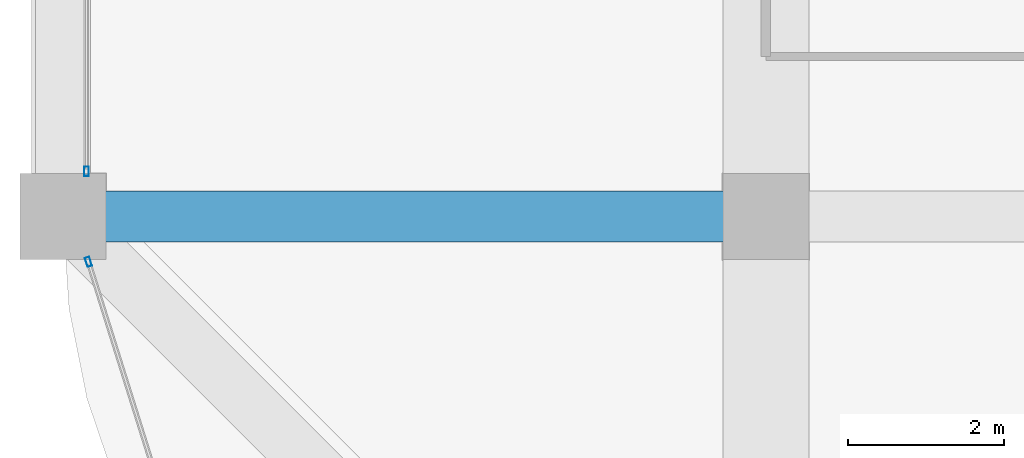
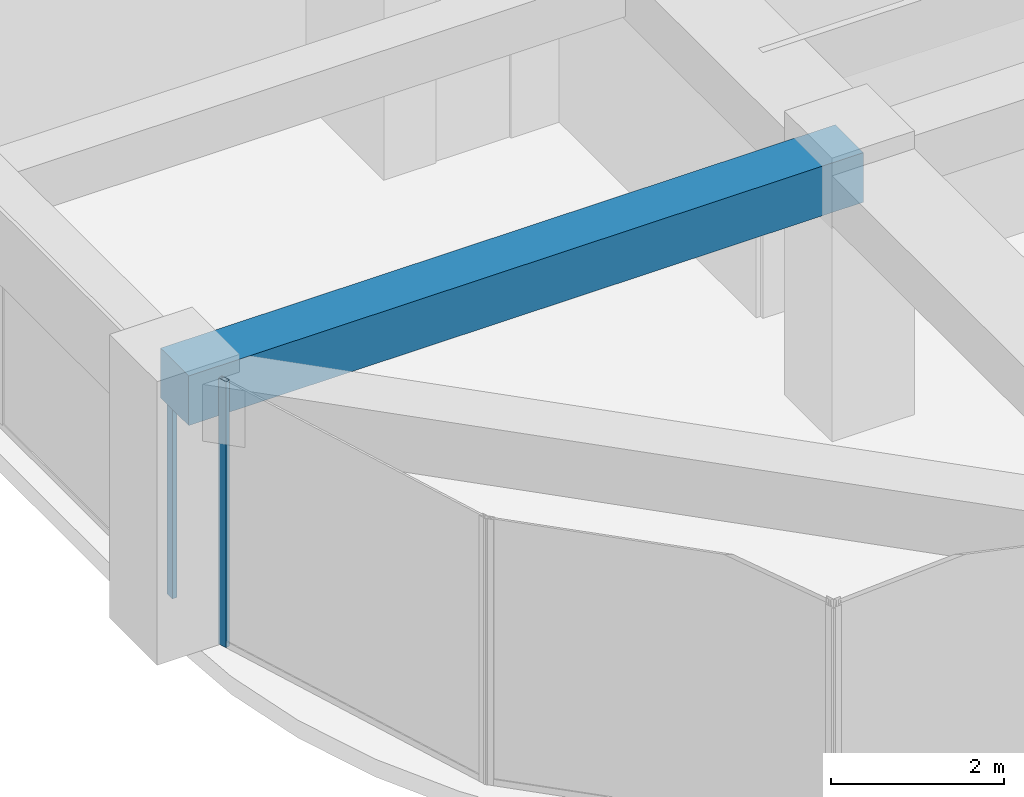
# One storey, part 6 of 44: 2 members, 1 beam, 2 elements without a shape of their own.
"""IFC4 building model written with IfcOpenShell, lengths in metres."""

import ifcopenshell
import ifcopenshell.guid

model = None  # the IFC model being written
_history = None  # IfcOwnerHistory: only IFC2X3 demands one
_inside = {}  # id of a spatial element -> (the spatial element, [elements in it])
_under = {}  # id of a project, library or spatial element -> (it, [spatial elements below it])
_declared = {}  # id of a project -> (the project, [libraries it declares])
_typed = {}  # id of a type object -> (the type object, [elements of that type])
_made_of = {}  # id of a material, layer set ... -> (it, [elements and type objects made of it])


def new_model(schema):
    """Start an empty IFC model of exactly this schema.

    Asked for "IFC4X3", IfcOpenShell would pick the latest addendum, in which some entities
    have other attributes; the version numbers below select the first issue.
    IFC2X3 requires an IfcOwnerHistory on every rooted entity: one is made here for all.
    """
    global model, _history
    if schema == "IFC4X3":
        model = ifcopenshell.file(schema_version=(4, 3, 0, 0))
    else:
        model = ifcopenshell.file(schema=schema)
    _inside.clear()
    _under.clear()
    _declared.clear()
    _typed.clear()
    _made_of.clear()
    _history = None
    if model.schema == "IFC2X3":
        org = make("IfcOrganization", Name="unknown")
        user = make(
            "IfcPersonAndOrganization",
            ThePerson=make("IfcPerson", FamilyName="unknown"),
            TheOrganization=org,
        )
        app = make(
            "IfcApplication",
            ApplicationDeveloper=org,
            Version="unknown",
            ApplicationFullName="unknown",
            ApplicationIdentifier="unknown",
        )
        _history = make(
            "IfcOwnerHistory",
            OwningUser=user,
            OwningApplication=app,
            ChangeAction="ADDED",
            CreationDate=0,
        )
    return model


def make(cls, **values):
    """One entity of the class cls with the attributes given. An attribute that is None is left unset."""
    return model.create_entity(
        cls, **{name: value for name, value in values.items() if value is not None}
    )


def rooted(cls, **values):
    """An entity with a GlobalId (a new one), such as an element, a storey or a relation."""
    return make(cls, GlobalId=ifcopenshell.guid.new(), OwnerHistory=_history, **values)


def si_unit(unit_type, name, prefix=None):
    """IfcSIUnit, for example si_unit("LENGTHUNIT", "METRE", prefix="MILLI")."""
    return make("IfcSIUnit", UnitType=unit_type, Prefix=prefix, Name=name)


def assignment(units):
    """IfcUnitAssignment: the units of a project."""
    return None if units is None else make("IfcUnitAssignment", Units=units)


def point(xyz):
    """IfcCartesianPoint."""
    return None if xyz is None else make("IfcCartesianPoint", Coordinates=xyz)


def direction(xyz):
    """IfcDirection."""
    return None if xyz is None else make("IfcDirection", DirectionRatios=xyz)


def frame(location, z_axis=None, x_axis=None):
    """IfcAxis2Placement3D, a coordinate frame: its origin and axes. An axis left out is left unset."""
    return make(
        "IfcAxis2Placement3D",
        Location=point(location),
        Axis=direction(z_axis),
        RefDirection=direction(x_axis),
    )


def frame_2d(location, x_axis=None):
    """IfcAxis2Placement2D, a coordinate frame in the plane: its origin and x axis."""
    return make(
        "IfcAxis2Placement2D", Location=point(location), RefDirection=direction(x_axis)
    )


def origin():
    """The frame at (0, 0, 0) with its axes left unset."""
    return frame((0.0, 0.0, 0.0))


def origin_2d():
    """The frame at (0, 0) in the plane with its x axis left unset."""
    return frame_2d((0.0, 0.0))


def place(relative_to, where):
    """IfcLocalPlacement: puts the frame where relative to a parent placement (None: the world)."""
    return make(
        "IfcLocalPlacement", PlacementRelTo=relative_to, RelativePlacement=where
    )


def context(
    kind, dimensions, precision=None, world=None, true_north=None, identifier=None
):
    """IfcGeometricRepresentationContext, for example the 3D "Model" context."""
    return make(
        "IfcGeometricRepresentationContext",
        ContextIdentifier=identifier,
        ContextType=kind,
        CoordinateSpaceDimension=dimensions,
        Precision=precision,
        WorldCoordinateSystem=world,
        TrueNorth=true_north,
    )


def subcontext(parent, identifier, kind, view, scale=None):
    """IfcGeometricRepresentationSubContext, for example "Body" below "Model"."""
    return make(
        "IfcGeometricRepresentationSubContext",
        ContextIdentifier=identifier,
        ContextType=kind,
        ParentContext=parent,
        TargetScale=scale,
        TargetView=view,
    )


def project(units=None, contexts=None):
    """IfcProject with its units and contexts."""
    return rooted(
        "IfcProject",
        Name="project",
        RepresentationContexts=contexts,
        UnitsInContext=assignment(units),
    )


def spatial(cls, under=None, at=None, **own):
    """A site, building, storey or space (cls), placed at a placement, below another one or the project."""
    s = rooted(cls, ObjectPlacement=at, **own)
    if under is not None:
        _under.setdefault(under.id(), (under, []))[1].append(s)
    return s


def profile(cls, at=None, kind="AREA", **sizes):
    """A parametric profile (cls). Its sizes go by their IFC names, for example OverallWidth=200.0."""
    return make(cls, ProfileType=kind, Position=at, **sizes)


def rectangle(**sizes):
    """IfcRectangleProfileDef."""
    return profile("IfcRectangleProfileDef", **sizes)


def hollow_rectangle(**sizes):
    """IfcRectangleHollowProfileDef."""
    return profile("IfcRectangleHollowProfileDef", **sizes)


def extrude(swept, where, along, depth):
    """IfcExtrudedAreaSolid: the profile swept, set in the frame where, extruded along a direction by depth."""
    return make(
        "IfcExtrudedAreaSolid",
        SweptArea=swept,
        Position=where,
        ExtrudedDirection=direction(along),
        Depth=depth,
    )


def shape(context_of_items, identifier, shape_type, items):
    """IfcShapeRepresentation: the items that make up one representation, for example the "Body"."""
    return make(
        "IfcShapeRepresentation",
        ContextOfItems=context_of_items,
        RepresentationIdentifier=identifier,
        RepresentationType=shape_type,
        Items=items,
    )


def material(Name=None, Category=None):
    """IfcMaterial."""
    return make("IfcMaterial", Name=Name, Category=Category)


def material_profile(
    of_material, cross_section, Name=None, Category=None, Priority=None
):
    """IfcMaterialProfile: a cross section and its material."""
    return make(
        "IfcMaterialProfile",
        Name=Name,
        Material=of_material,
        Profile=cross_section,
        Priority=Priority,
        Category=Category,
    )


def profile_set(profiles, Name=None, composite=None):
    """IfcMaterialProfileSet."""
    return make(
        "IfcMaterialProfileSet",
        Name=Name,
        MaterialProfiles=profiles,
        CompositeProfile=composite,
    )


def made_of(thing, what):
    """Note that an element or type object is made of a material, layer set ...; save() writes the relation."""
    if what is not None:
        _made_of.setdefault(what.id(), (what, []))[1].append(thing)
    return thing


def type_object(cls, material=None, **own):
    """A type object (cls), such as IfcWallType, which elements share."""
    return made_of(rooted(cls, **own), material)


def element(
    cls,
    number,
    at=None,
    inside=None,
    cuts=None,
    type_object=None,
    material=None,
    context=None,
    identifier="Body",
    shape_type=None,
    held_by="IfcProductDefinitionShape",
    body=None,
    shapes=None,
    **own,
):
    """One element of the class cls, such as IfcWall. Its Tag is "e" and its number.

    at: its placement. inside: the storey or other place that contains it. cuts: it is an
    opening in that element (IfcRelVoidsElement). A single representation is given by context,
    identifier, shape_type and body (its items); several are given by shapes. held_by: the class
    of the entity that holds the representations. save() writes the other relations.
    """
    e = rooted(cls, Tag="e%d" % number, ObjectPlacement=at, **own)
    if body is not None:
        shapes = [shape(context, identifier, shape_type, body)]
    if shapes is not None:
        e.Representation = make(held_by, Representations=shapes)
    if inside is not None:
        _inside.setdefault(inside.id(), (inside, []))[1].append(e)
    if cuts is not None:
        rooted(
            "IfcRelVoidsElement", RelatingBuildingElement=cuts, RelatedOpeningElement=e
        )
    if type_object is not None:
        _typed.setdefault(type_object.id(), (type_object, []))[1].append(e)
    return made_of(e, material)


def aggregate(whole, parts):
    """IfcRelAggregates: a whole, such as a stair, and the parts it consists of."""
    return rooted("IfcRelAggregates", RelatingObject=whole, RelatedObjects=parts)


def save(model, path):
    """Write the relations noted so far, then the file.

    IfcRelAggregates (storeys below a building ...), IfcRelContainedInSpatialStructure (elements
    in a storey), IfcRelDefinesByType, IfcRelAssociatesMaterial and IfcRelDeclares: one each for
    every whole, place, type object, material and project.
    """
    for whole, parts in _under.values():
        aggregate(whole, parts)
    for where, things in _inside.values():
        rooted(
            "IfcRelContainedInSpatialStructure",
            RelatedElements=things,
            RelatingStructure=where,
        )
    for kind, things in _typed.values():
        rooted("IfcRelDefinesByType", RelatedObjects=things, RelatingType=kind)
    for what, things in _made_of.values():
        rooted("IfcRelAssociatesMaterial", RelatedObjects=things, RelatingMaterial=what)
    for by, libraries in _declared.values():
        rooted("IfcRelDeclares", RelatingContext=by, RelatedDefinitions=libraries)
    model.write(path)


model = new_model("IFC4")

# Units and contexts
model_context = context("Model", 3, precision=1e-05, world=origin(), true_north=direction((0.0, 1.0)))
body_context = subcontext(model_context, "Body", "Model", "MODEL_VIEW")
ifc_project = project(units=[si_unit("LENGTHUNIT", "METRE"), si_unit("AREAUNIT", "SQUARE_METRE"), si_unit("VOLUMEUNIT", "CUBIC_METRE"), si_unit("PLANEANGLEUNIT", "RADIAN"), si_unit("MASSUNIT", "GRAM", prefix="KILO")], contexts=[model_context])

# Site, building, storey
site_placement = place(None, origin())
site = spatial("IfcSite", under=ifc_project, at=site_placement, CompositionType="ELEMENT")
building_placement = place(site_placement, origin())
building = spatial("IfcBuilding", under=site, at=building_placement, Name="Zorevar Civic Tower", CompositionType="ELEMENT")
storey_placement = place(building_placement, frame((0.0, 0.0, 255.39990234375)))
storey = spatial("IfcBuildingStorey", under=building, at=storey_placement, Name="L62", CompositionType="ELEMENT", Elevation=255.39990234375)

# Beam
ifc_material_1 = material(Name="Concrete C50/60", Category="concrete")
ifc_material_profile_1 = material_profile(ifc_material_1, rectangle(XDim=0.64990234375, YDim=0.699951171875, at=origin_2d()), Name="RC 650x700")
ifc_profile_set_1 = profile_set([ifc_material_profile_1], Name="Concrete C50/60")
beam_type = type_object("IfcBeamType", Name="Beam RC 650x700", PredefinedType="BEAM", material=ifc_profile_set_1)
beam_placement = place(storey_placement, frame((9.0, 9.0, 3.400146484375), z_axis=(1.0, 0.0, 0.0), x_axis=(0.0, 1.0, 0.0)))
element("IfcBeam", 1, at=beam_placement, inside=storey, type_object=beam_type, Name="Girder L63", PredefinedType="BEAM", context=body_context, shape_type="SweptSolid", body=[
    extrude(rectangle(XDim=0.64990234375, YDim=0.699951171875, at=origin_2d()), origin(), (0.0, 0.0, 1.0), 9.0),
])

# Curtain wall, member
ifc_material_2 = material(Name="Dark grey solar-control glass in black aluminium frame", Category="aluminium")
curtain_wall_type = type_object("IfcCurtainWallType", Name="Curtain wall CW5 top zone", PredefinedType="NOTDEFINED", material=ifc_material_2)
curtain_wall_1_placement = place(storey_placement, origin())
curtain_wall_1 = element("IfcCurtainWall", 2, at=curtain_wall_1_placement, inside=storey, type_object=curtain_wall_type, Name="CW5 L62", PredefinedType="NOTDEFINED")
ifc_material_3 = material(Name="Aluminium, black anodised", Category="aluminium")
ifc_material_profile_2 = material_profile(ifc_material_3, hollow_rectangle(XDim=0.06005859375, YDim=0.1201171875, WallThickness=0.0029296875, at=origin_2d()), Name="AL 120x60x3")
ifc_profile_set_2 = profile_set([ifc_material_profile_2], Name="Aluminium, black anodised")
member_type = type_object("IfcMemberType", Name="CW5 mullion AL 120x60x3", PredefinedType="MULLION", material=ifc_profile_set_2)
member_1_placement = place(storey_placement, frame((9.300048828125, 9.580078125, 0.0), z_axis=(0.0, 0.0, 1.0), x_axis=(-1.0, 0.0, 0.0)))
member_1 = element("IfcMember", 3, at=member_1_placement, type_object=member_type, Name="CW5 mullion 1", PredefinedType="MULLION", context=body_context, shape_type="SweptSolid", body=[
    extrude(hollow_rectangle(XDim=0.06005859375, YDim=0.1201171875, WallThickness=0.0029296875, at=origin_2d()), origin(), (0.0, 0.0, 1.0), 2.9501953125),
])
aggregate(curtain_wall_1, [member_1])

curtain_wall_2_placement = place(storey_placement, origin())
curtain_wall_2 = element("IfcCurtainWall", 4, at=curtain_wall_2_placement, inside=storey, type_object=curtain_wall_type, Name="CW5 L62", PredefinedType="NOTDEFINED")
member_2_placement = place(storey_placement, frame((9.326416015625, 8.42138671875, 0.0), z_axis=(0.0, 0.0, 1.0), x_axis=(0.954153437674, 0.299317920238, 0.0)))
member_2 = element("IfcMember", 5, at=member_2_placement, type_object=member_type, Name="CW5 mullion 1", PredefinedType="MULLION", context=body_context, shape_type="SweptSolid", body=[
    extrude(hollow_rectangle(XDim=0.06005859375, YDim=0.1201171875, WallThickness=0.0029296875, at=origin_2d()), origin(), (0.0, 0.0, 1.0), 3.75),
])
aggregate(curtain_wall_2, [member_2])

save(model, "model.ifc")
